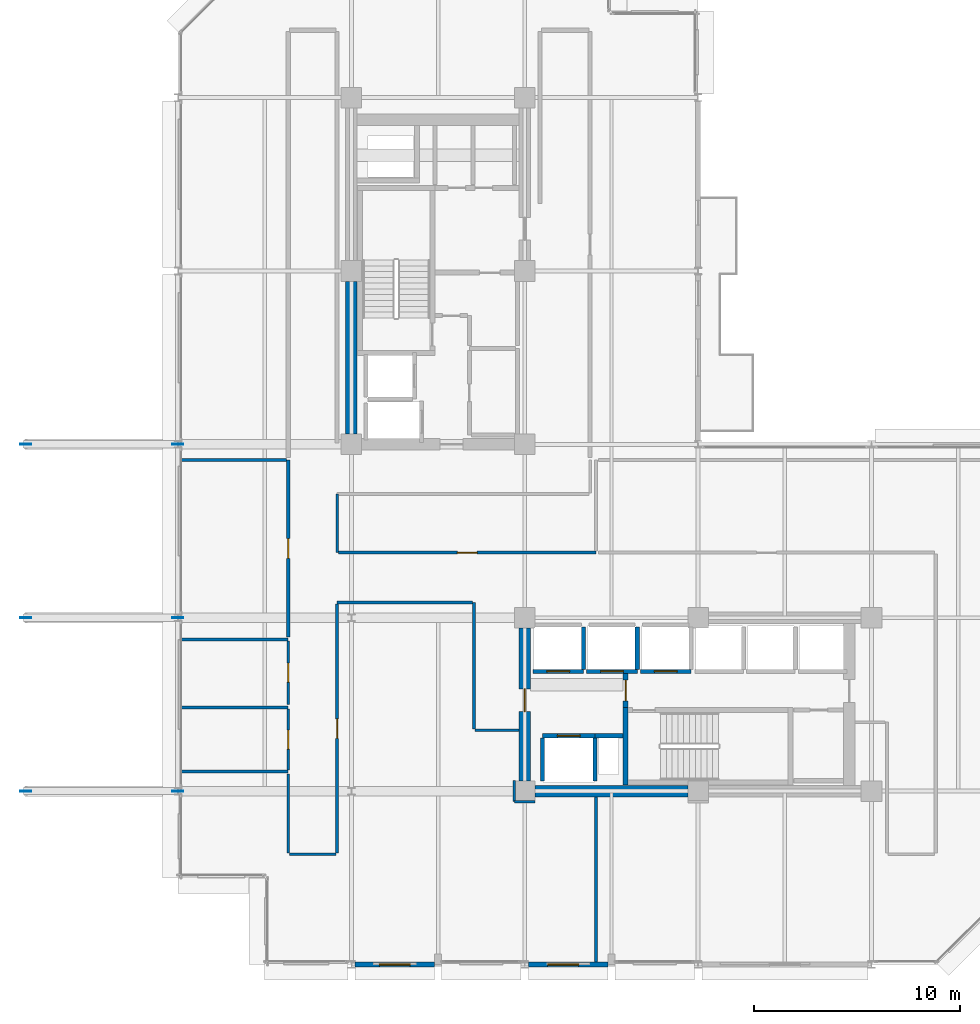
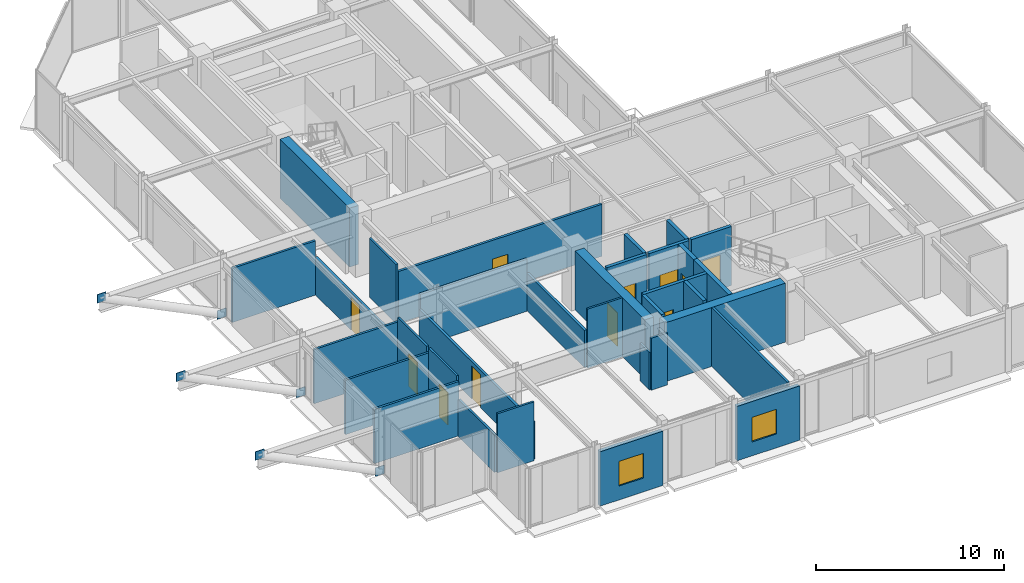
# One storey, part 25 of 30: 34 walls, 11 doors, 6 plates, 2 windows, 13 openings.
"""IFC4 building model written with IfcOpenShell, lengths in metres."""

from ifc_helpers import new_model, si_unit, direction, frame, frame_2d, origin, origin_2d, place, context, subcontext, project, spatial, rectangle, extrude, material, layer, layer_set, type_object, element, fill, save


model = new_model("IFC4")

# Units and contexts
model_context = context("Model", 3, precision=1e-05, world=origin(), true_north=direction((0.0, 1.0)))
body_context = subcontext(model_context, "Body", "Model", "MODEL_VIEW")
ifc_project = project(units=[si_unit("LENGTHUNIT", "METRE"), si_unit("AREAUNIT", "SQUARE_METRE"), si_unit("VOLUMEUNIT", "CUBIC_METRE"), si_unit("PLANEANGLEUNIT", "RADIAN"), si_unit("MASSUNIT", "GRAM", prefix="KILO")], contexts=[model_context])

# Site, building, storey
site_placement = place(None, origin())
site = spatial("IfcSite", under=ifc_project, at=site_placement, CompositionType="ELEMENT")
building_placement = place(site_placement, origin())
building = spatial("IfcBuilding", under=site, at=building_placement, Name="Nerrivon Quay Data Exchange", CompositionType="ELEMENT")
storey_placement = place(building_placement, frame((0.0, 0.0, 167.300048828125)))
storey = spatial("IfcBuildingStorey", under=building, at=storey_placement, Name="L39", CompositionType="ELEMENT", Elevation=167.300048828125)

# Plates
ifc_material_1 = material(Name="Steel Grade 350", Category="steel")
ifc_layer_1 = layer(ifc_material_1, 0.0400390625)
ifc_layer_set_1 = layer_set([ifc_layer_1], Name="Steel Grade 350")
plate_type = type_object("IfcPlateType", Name="PLT-TN02", PredefinedType="USERDEFINED", material=ifc_layer_set_1)
for number, where, z_axis, x_axis, name in (
    (1, (-0.010009765625, 8.39990234375, -0.125), (0.0, 0.0, 1.0), (1.0, 0.0, 0.0), "L39 node plate 57"),
    (2, (-7.3798828125, 8.39990234375, 3.5), (0.0, 0.0, 1.0), (1.0, 0.0, 0.0), "L39 node plate 58"),
    (3, (-0.010009765625, 16.800048828125, -0.125), (0.0, 0.0, 1.0), (1.0, 0.0, 0.0), "L39 node plate 59"),
    (4, (-7.3798828125, 16.800048828125, 3.5), (0.0, 0.0, 1.0), (1.0, 0.0, 0.0), "L39 node plate 60"),
    (5, (-0.010009765625, 25.199951171875, -0.125), (0.0, 0.0, 1.0), (1.0, 0.0, 0.0), "L39 node plate 61"),
    (6, (-7.3798828125, 25.199951171875, 3.5), (0.0, 0.0, 1.0), (1.0, 0.0, 0.0), "L39 node plate 62"),
):
    element("IfcPlate", number, at=place(storey_placement, frame(where, z_axis=z_axis, x_axis=x_axis)), inside=storey, type_object=plate_type, Name=name, ObjectType="GUSSET PLATE", PredefinedType="USERDEFINED", context=body_context, shape_type="SweptSolid", body=[
        extrude(rectangle(XDim=0.550048828125, YDim=0.035888671875, at=origin_2d()), origin(), (0.0, 0.0, 1.0), 0.550048828125),
    ])

# Wall, opening, window
ifc_material_2 = material(Name="Architectural terracotta precast concrete N50 (50 MPa)", Category="masonry")
ifc_layer_2 = layer(ifc_material_2, 0.239990234375)
ifc_layer_set_2 = layer_set([ifc_layer_2], Name="Architectural terracotta precast concrete N50 (50 MPa)")
wall_type_1 = type_object("IfcWallType", Name="EW-PREC-240", PredefinedType="STANDARD", material=ifc_layer_set_2)
wall_1_placement = place(storey_placement, frame((20.824951171875, 0.0, 0.0), z_axis=(0.0, 0.0, 1.0), x_axis=(-1.0, 0.0, 0.0)))
wall_1 = element("IfcWall", 7, at=wall_1_placement, inside=storey, type_object=wall_type_1, Name="L39 Podium Precast Spandrel Wall 5", PredefinedType="STANDARD", context=body_context, shape_type="SweptSolid", body=[
    extrude(rectangle(XDim=3.849853515625, YDim=0.239990234375, at=frame_2d((1.9248046875, 0.0))), origin(), (0.0, 0.0, 1.0), 3.52490234375),
])
opening_1_placement = place(wall_1_placement, frame((1.415283203125, 0.0, 0.89990234375)))
opening_1 = element("IfcOpeningElement", 8, at=opening_1_placement, cuts=wall_1, Name="Opening WN4", PredefinedType="OPENING", context=body_context, shape_type="SweptSolid", body=[
    extrude(rectangle(XDim=1.5, YDim=1.60009765625, at=frame_2d((0.75, 0.800048828125))), frame((0.0, 0.1298828125, 0.0), z_axis=(0.0, -1.0, 0.0), x_axis=(1.0, 0.0, 0.0)), (0.0, 0.0, 1.0), 0.260009765625),
])
ifc_material_3 = material(Name="Double-glazed low-E solar control glass", Category="glass")
window_type = type_object("IfcWindowType", Name="WIN-W4-1500x1600", PartitioningType="SINGLE_PANEL", PredefinedType="WINDOW", material=ifc_material_3)
window_1_placement = place(opening_1_placement, origin())
window_1 = element("IfcWindow", 9, at=window_1_placement, inside=storey, type_object=window_type, Name="L39 Solar Facade Window 5", OverallHeight=1.60009765625, OverallWidth=1.5, PartitioningType="SINGLE_PANEL", PredefinedType="WINDOW", context=body_context, shape_type="SweptSolid", body=[
    extrude(rectangle(XDim=1.5, YDim=1.60009765625, at=frame_2d((0.75, 0.800048828125))), frame((0.0, 0.030029296875, 0.0), z_axis=(0.0, -1.0, 0.0), x_axis=(1.0, 0.0, 0.0)), (0.0, 0.0, 1.0), 0.06005859375),
])
fill(opening_1, window_1)

wall_2_placement = place(storey_placement, frame((12.425048828125, 0.0, 0.0), z_axis=(0.0, 0.0, 1.0), x_axis=(-1.0, 0.0, 0.0)))
wall_2 = element("IfcWall", 10, at=wall_2_placement, inside=storey, type_object=wall_type_1, Name="L39 Podium Precast Spandrel Wall 7", PredefinedType="STANDARD", context=body_context, shape_type="SweptSolid", body=[
    extrude(rectangle(XDim=3.85009765625, YDim=0.239990234375, at=frame_2d((1.925048828125, 0.0))), origin(), (0.0, 0.0, 1.0), 3.52490234375),
])
opening_2_placement = place(wall_2_placement, frame((1.175048828125, 0.0, 0.89990234375)))
opening_2 = element("IfcOpeningElement", 11, at=opening_2_placement, cuts=wall_2, Name="Opening WN4", PredefinedType="OPENING", context=body_context, shape_type="SweptSolid", body=[
    extrude(rectangle(XDim=1.5, YDim=1.60009765625, at=frame_2d((0.75, 0.800048828125))), frame((0.0, 0.1298828125, 0.0), z_axis=(0.0, -1.0, 0.0), x_axis=(1.0, 0.0, 0.0)), (0.0, 0.0, 1.0), 0.260009765625),
])
window_2_placement = place(opening_2_placement, origin())
window_2 = element("IfcWindow", 12, at=window_2_placement, inside=storey, type_object=window_type, Name="L39 Solar Facade Window 7", OverallHeight=1.60009765625, OverallWidth=1.5, PartitioningType="SINGLE_PANEL", PredefinedType="WINDOW", context=body_context, shape_type="SweptSolid", body=[
    extrude(rectangle(XDim=1.5, YDim=1.60009765625, at=frame_2d((0.75, 0.800048828125))), frame((0.0, 0.030029296875, 0.0), z_axis=(0.0, -1.0, 0.0), x_axis=(1.0, 0.0, 0.0)), (0.0, 0.0, 1.0), 0.06005859375),
])
fill(opening_2, window_2)

# Walls
ifc_material_4 = material(Name="Concrete S65 (65 MPa)", Category="concrete")
ifc_layer_3 = layer(ifc_material_4, 0.550048828125)
ifc_layer_set_3 = layer_set([ifc_layer_3], Name="Concrete S65 (65 MPa)")
wall_type_2 = type_object("IfcWallType", Name="WALL-CW-700", PredefinedType="SHEAR", material=ifc_layer_set_3)
wall_3_placement = place(storey_placement, frame((8.39990234375, 25.699951171875, 0.0), z_axis=(0.0, 0.0, 1.0), x_axis=(0.0, 1.0, 0.0)))
element("IfcWall", 13, at=wall_3_placement, inside=storey, type_object=wall_type_2, Name="L39 West Split-Core Shear Wall WCW-W1", PredefinedType="SHEAR", context=body_context, shape_type="SweptSolid", body=[
    extrude(rectangle(XDim=7.400146484375, YDim=0.550048828125, at=frame_2d((3.7001953125, 0.0))), origin(), (0.0, 0.0, 1.0), 3.824951171875),
])
wall_4_placement = place(storey_placement, frame((17.300048828125, 8.39990234375, 0.0), z_axis=(0.0, 0.0, 1.0), x_axis=(1.0, 0.0, 0.0)))
element("IfcWall", 14, at=wall_4_placement, inside=storey, type_object=wall_type_2, Name="L39 East Split-Core Shear Wall ECW-S1", PredefinedType="SHEAR", context=body_context, shape_type="SweptSolid", body=[
    extrude(rectangle(XDim=7.39990234375, YDim=0.550048828125, at=frame_2d((3.699951171875, 0.0))), origin(), (0.0, 0.0, 1.0), 3.824951171875),
])

# Wall, opening, door
wall_5_placement = place(storey_placement, frame((16.800048828125, 8.89990234375, 0.0), z_axis=(0.0, 0.0, 1.0), x_axis=(0.0, 1.0, 0.0)))
wall_5 = element("IfcWall", 15, at=wall_5_placement, inside=storey, type_object=wall_type_2, Name="L39 East Split-Core Shear Wall ECW-W1", PredefinedType="SHEAR", context=body_context, shape_type="SweptSolid", body=[
    extrude(rectangle(XDim=7.400146484375, YDim=0.550048828125, at=frame_2d((3.7001953125, 0.0))), origin(), (0.0, 0.0, 1.0), 3.824951171875),
])
opening_3_placement = place(wall_5_placement, frame((3.35009765625, 0.0, 0.0)))
opening_3 = element("IfcOpeningElement", 16, at=opening_3_placement, cuts=wall_5, Name="Opening FD-120", PredefinedType="OPENING", context=body_context, shape_type="SweptSolid", body=[
    extrude(rectangle(XDim=1.10009765625, YDim=2.14990234375, at=frame_2d((0.550048828125, 1.074951171875))), frame((0.0, 0.284912109375, 0.0), z_axis=(0.0, -1.0, 0.0), x_axis=(1.0, 0.0, 0.0)), (0.0, 0.0, 1.0), 0.570068359375),
])
ifc_material_5 = material(Name="Powder-coated galvanized steel sheet", Category="steel")
door_type_1 = type_object("IfcDoorType", Name="DR-FD120-1100", OperationType="NOTDEFINED", PredefinedType="DOOR", material=ifc_material_5)
door_1_placement = place(opening_3_placement, origin())
door_1 = element("IfcDoor", 17, at=door_1_placement, inside=storey, type_object=door_type_1, Name="L39 East Core Lobby Fire Door", OperationType="SINGLE_SWING_LEFT", OverallHeight=2.14990234375, OverallWidth=1.10009765625, PredefinedType="DOOR", context=body_context, shape_type="SweptSolid", body=[
    extrude(rectangle(XDim=1.10009765625, YDim=2.14990234375, at=frame_2d((0.550048828125, 1.074951171875))), frame((0.0, 0.02490234375, 0.0), z_axis=(0.0, -1.0, 0.0), x_axis=(1.0, 0.0, 0.0)), (0.0, 0.0, 1.0), 0.050048828125),
])
fill(opening_3, door_1)

# Wall
ifc_material_6 = material(Name="Gypsum plasterboard on cold-formed framing", Category="gypsum")
ifc_layer_4 = layer(ifc_material_6, 0.199951171875)
ifc_layer_set_4 = layer_set([ifc_layer_4], Name="Gypsum plasterboard on cold-formed framing")
wall_type_3 = type_object("IfcWallType", Name="WALL-FW-200", PredefinedType="PARTITIONING", material=ifc_layer_set_4)
wall_6_placement = place(storey_placement, frame((20.199951171875, 11.080078125, 0.0), z_axis=(0.0, 0.0, 1.0), x_axis=(1.0, 0.0, 0.0)))
element("IfcWall", 18, at=wall_6_placement, inside=storey, type_object=wall_type_3, Name="L39 East Core MEP Riser Shaft Wall N", PredefinedType="PARTITIONING", context=body_context, shape_type="SweptSolid", body=[
    extrude(rectangle(XDim=1.35009765625, YDim=0.199951171875, at=frame_2d((0.675048828125, 0.0))), origin(), (0.0, 0.0, 1.0), 3.824951171875),
])

# Wall, opening, door
wall_7_placement = place(storey_placement, frame((17.64990234375, 11.080078125, 0.0), z_axis=(0.0, 0.0, 1.0), x_axis=(1.0, 0.0, 0.0)))
wall_7 = element("IfcWall", 19, at=wall_7_placement, inside=storey, type_object=wall_type_3, Name="L39 Lift Front Wall FFL-2", PredefinedType="PARTITIONING", context=body_context, shape_type="SweptSolid", body=[
    extrude(rectangle(XDim=2.550048828125, YDim=0.199951171875, at=frame_2d((1.27490234375, 0.0))), origin(), (0.0, 0.0, 1.0), 3.824951171875),
])
opening_4_placement = place(wall_7_placement, frame((0.72509765625, 0.0, 0.0)))
opening_4 = element("IfcOpeningElement", 20, at=opening_4_placement, cuts=wall_7, Name="Opening LD-120", PredefinedType="OPENING", context=body_context, shape_type="SweptSolid", body=[
    extrude(rectangle(XDim=1.10009765625, YDim=2.199951171875, at=frame_2d((0.550048828125, 1.10009765625))), frame((0.0, 0.10986328125, 0.0), z_axis=(0.0, -1.0, 0.0), x_axis=(1.0, 0.0, 0.0)), (0.0, 0.0, 1.0), 0.219970703125),
])
door_type_2 = type_object("IfcDoorType", Name="DR-LIFT-LD120", OperationType="DOUBLE_DOOR_SLIDING", PredefinedType="DOOR", material=ifc_material_5)
door_2_placement = place(opening_4_placement, origin())
door_2 = element("IfcDoor", 21, at=door_2_placement, inside=storey, type_object=door_type_2, Name="L39 Lift Landing Sliding Door FFL-2", OperationType="DOUBLE_DOOR_SLIDING", OverallHeight=2.199951171875, OverallWidth=1.10009765625, PredefinedType="DOOR", context=body_context, shape_type="SweptSolid", body=[
    extrude(rectangle(XDim=1.10009765625, YDim=2.199951171875, at=frame_2d((0.550048828125, 1.10009765625))), frame((0.0, 0.02490234375, 0.0), z_axis=(0.0, -1.0, 0.0), x_axis=(1.0, 0.0, 0.0)), (0.0, 0.0, 1.0), 0.050048828125),
])
fill(opening_4, door_2)

# Walls
for number, where, z_axis, x_axis, name in (
    (22, (20.199951171875, 8.8798828125, 0.0), (0.0, 0.0, 1.0), (0.0, 1.0, 0.0), "L39 Lift Shaft Wall FFL-2 EAST"),
    (23, (17.64990234375, 8.8798828125, 0.0), (0.0, 0.0, 1.0), (0.0, 1.0, 0.0), "L39 Lift Shaft Wall FFL-2 WEST"),
):
    element("IfcWall", number, at=place(storey_placement, frame(where, z_axis=z_axis, x_axis=x_axis)), inside=storey, type_object=wall_type_3, Name=name, PredefinedType="PARTITIONING", context=body_context, shape_type="SweptSolid", body=[
        extrude(rectangle(XDim=2.10009765625, YDim=0.199951171875, at=frame_2d((1.050048828125, 0.0))), origin(), (0.0, 0.0, 1.0), 3.824951171875),
    ])

# Wall, opening, door
wall_8_placement = place(storey_placement, frame((17.199951171875, 14.199951171875, 0.0), z_axis=(0.0, 0.0, 1.0), x_axis=(1.0, 0.0, 0.0)))
wall_8 = element("IfcWall", 24, at=wall_8_placement, inside=storey, type_object=wall_type_3, Name="L39 Lift Front Wall PL4", PredefinedType="PARTITIONING", context=body_context, shape_type="SweptSolid", body=[
    extrude(rectangle(XDim=2.449951171875, YDim=0.199951171875, at=frame_2d((1.22509765625, 0.0))), origin(), (0.0, 0.0, 1.0), 3.824951171875),
])
opening_5_placement = place(wall_8_placement, frame((0.675048828125, 0.0, 0.0)))
opening_5 = element("IfcOpeningElement", 25, at=opening_5_placement, cuts=wall_8, Name="Opening LD-120", PredefinedType="OPENING", context=body_context, shape_type="SweptSolid", body=[
    extrude(rectangle(XDim=1.10009765625, YDim=2.199951171875, at=frame_2d((0.550048828125, 1.10009765625))), frame((0.0, 0.10986328125, 0.0), z_axis=(0.0, -1.0, 0.0), x_axis=(1.0, 0.0, 0.0)), (0.0, 0.0, 1.0), 0.219970703125),
])
door_3_placement = place(opening_5_placement, origin())
door_3 = element("IfcDoor", 26, at=door_3_placement, inside=storey, type_object=door_type_2, Name="L39 Lift Landing Sliding Door PL4", OperationType="DOUBLE_DOOR_SLIDING", OverallHeight=2.199951171875, OverallWidth=1.10009765625, PredefinedType="DOOR", context=body_context, shape_type="SweptSolid", body=[
    extrude(rectangle(XDim=1.10009765625, YDim=2.199951171875, at=frame_2d((0.550048828125, 1.10009765625))), frame((0.0, 0.02490234375, 0.0), z_axis=(0.0, -1.0, 0.0), x_axis=(1.0, 0.0, 0.0)), (0.0, 0.0, 1.0), 0.050048828125),
])
fill(opening_5, door_3)

# Wall
wall_9_placement = place(storey_placement, frame((19.64990234375, 14.300048828125, 0.0), z_axis=(0.0, 0.0, 1.0), x_axis=(0.0, 1.0, 0.0)))
element("IfcWall", 27, at=wall_9_placement, inside=storey, type_object=wall_type_3, Name="L39 Lift Shaft Wall PL4 EAST", PredefinedType="PARTITIONING", context=body_context, shape_type="SweptSolid", body=[
    extrude(rectangle(XDim=2.050048828125, YDim=0.199951171875, at=frame_2d((1.02490234375, 0.0))), origin(), (0.0, 0.0, 1.0), 3.824951171875),
])

# Wall, opening, door
wall_10_placement = place(storey_placement, frame((19.800048828125, 14.199951171875, 0.0), z_axis=(0.0, 0.0, 1.0), x_axis=(1.0, 0.0, 0.0)))
wall_10 = element("IfcWall", 28, at=wall_10_placement, inside=storey, type_object=wall_type_3, Name="L39 Lift Front Wall PL5", PredefinedType="PARTITIONING", context=body_context, shape_type="SweptSolid", body=[
    extrude(rectangle(XDim=2.449951171875, YDim=0.199951171875, at=frame_2d((1.22509765625, 0.0))), origin(), (0.0, 0.0, 1.0), 3.824951171875),
])
opening_6_placement = place(wall_10_placement, frame((0.675048828125, 0.0, 0.0)))
opening_6 = element("IfcOpeningElement", 29, at=opening_6_placement, cuts=wall_10, Name="Opening LD-120", PredefinedType="OPENING", context=body_context, shape_type="SweptSolid", body=[
    extrude(rectangle(XDim=1.10009765625, YDim=2.199951171875, at=frame_2d((0.550048828125, 1.10009765625))), frame((0.0, 0.10986328125, 0.0), z_axis=(0.0, -1.0, 0.0), x_axis=(1.0, 0.0, 0.0)), (0.0, 0.0, 1.0), 0.219970703125),
])
door_4_placement = place(opening_6_placement, origin())
door_4 = element("IfcDoor", 30, at=door_4_placement, inside=storey, type_object=door_type_2, Name="L39 Lift Landing Sliding Door PL5", OperationType="DOUBLE_DOOR_SLIDING", OverallHeight=2.199951171875, OverallWidth=1.10009765625, PredefinedType="DOOR", context=body_context, shape_type="SweptSolid", body=[
    extrude(rectangle(XDim=1.10009765625, YDim=2.199951171875, at=frame_2d((0.550048828125, 1.10009765625))), frame((0.0, 0.02490234375, 0.0), z_axis=(0.0, -1.0, 0.0), x_axis=(1.0, 0.0, 0.0)), (0.0, 0.0, 1.0), 0.050048828125),
])
fill(opening_6, door_4)

# Wall
wall_11_placement = place(storey_placement, frame((22.25, 14.300048828125, 0.0), z_axis=(0.0, 0.0, 1.0), x_axis=(0.0, 1.0, 0.0)))
element("IfcWall", 31, at=wall_11_placement, inside=storey, type_object=wall_type_3, Name="L39 Lift Shaft Wall PL5 EAST", PredefinedType="PARTITIONING", context=body_context, shape_type="SweptSolid", body=[
    extrude(rectangle(XDim=2.050048828125, YDim=0.199951171875, at=frame_2d((1.02490234375, 0.0))), origin(), (0.0, 0.0, 1.0), 3.824951171875),
])

# Wall, opening, door
wall_12_placement = place(storey_placement, frame((22.39990234375, 14.199951171875, 0.0), z_axis=(0.0, 0.0, 1.0), x_axis=(1.0, 0.0, 0.0)))
wall_12 = element("IfcWall", 32, at=wall_12_placement, inside=storey, type_object=wall_type_3, Name="L39 Lift Front Wall PL6", PredefinedType="PARTITIONING", context=body_context, shape_type="SweptSolid", body=[
    extrude(rectangle(XDim=2.4501953125, YDim=0.199951171875, at=frame_2d((1.22509765625, 0.0))), origin(), (0.0, 0.0, 1.0), 3.824951171875),
])
opening_7_placement = place(wall_12_placement, frame((0.675048828125, 0.0, 0.0)))
opening_7 = element("IfcOpeningElement", 33, at=opening_7_placement, cuts=wall_12, Name="Opening LD-120", PredefinedType="OPENING", context=body_context, shape_type="SweptSolid", body=[
    extrude(rectangle(XDim=1.10009765625, YDim=2.199951171875, at=frame_2d((0.550048828125, 1.10009765625))), frame((0.0, 0.10986328125, 0.0), z_axis=(0.0, -1.0, 0.0), x_axis=(1.0, 0.0, 0.0)), (0.0, 0.0, 1.0), 0.219970703125),
])
door_5_placement = place(opening_7_placement, origin())
door_5 = element("IfcDoor", 34, at=door_5_placement, inside=storey, type_object=door_type_2, Name="L39 Lift Landing Sliding Door PL6", OperationType="DOUBLE_DOOR_SLIDING", OverallHeight=2.199951171875, OverallWidth=1.10009765625, PredefinedType="DOOR", context=body_context, shape_type="SweptSolid", body=[
    extrude(rectangle(XDim=1.10009765625, YDim=2.199951171875, at=frame_2d((0.550048828125, 1.10009765625))), frame((0.0, 0.02490234375, 0.0), z_axis=(0.0, -1.0, 0.0), x_axis=(1.0, 0.0, 0.0)), (0.0, 0.0, 1.0), 0.050048828125),
])
fill(opening_7, door_5)

ifc_layer_5 = layer(ifc_material_6, 0.1201171875)
ifc_layer_set_5 = layer_set([ifc_layer_5], Name="Gypsum plasterboard on cold-formed framing")
wall_type_4 = type_object("IfcWallType", Name="WALL-PT-120", PredefinedType="PARTITIONING", material=ifc_layer_set_5)
wall_13_placement = place(storey_placement, frame((5.340087890625, 9.42138671875, 0.0), z_axis=(0.0, 0.0, 1.0), x_axis=(0.0, 1.0, 0.0)))
wall_13 = element("IfcWall", 35, at=wall_13_placement, inside=storey, type_object=wall_type_4, Name="L39 Partition Accessible Toilet", PredefinedType="PARTITIONING", context=body_context, shape_type="SweptSolid", body=[
    extrude(rectangle(XDim=2.95703125, YDim=0.1201171875, at=frame_2d((1.478515625, 0.0))), origin(), (0.0, 0.0, 1.0), 3.824951171875),
])
opening_8_placement = place(wall_13_placement, frame((1.0185546875, 0.0, 0.0)))
opening_8 = element("IfcOpeningElement", 36, at=opening_8_placement, cuts=wall_13, Name="Opening D-WC", PredefinedType="OPENING", context=body_context, shape_type="SweptSolid", body=[
    extrude(rectangle(XDim=0.919921875, YDim=2.10009765625, at=frame_2d((0.4599609375, 1.050048828125))), frame((0.0, 0.070068359375, 0.0), z_axis=(0.0, -1.0, 0.0), x_axis=(1.0, 0.0, 0.0)), (0.0, 0.0, 1.0), 0.14013671875),
])
ifc_material_7 = material(Name="Engineered hardwood timber", Category="wood")
door_type_3 = type_object("IfcDoorType", Name="DR-WC-920", OperationType="NOTDEFINED", PredefinedType="DOOR", material=ifc_material_7)
door_6_placement = place(opening_8_placement, origin())
door_6 = element("IfcDoor", 37, at=door_6_placement, inside=storey, type_object=door_type_3, Name="L39 Door Accessible Toilet", OperationType="SINGLE_SWING_LEFT", OverallHeight=2.10009765625, OverallWidth=0.919921875, PredefinedType="DOOR", context=body_context, shape_type="SweptSolid", body=[
    extrude(rectangle(XDim=0.919921875, YDim=2.10009765625, at=frame_2d((0.4599609375, 1.050048828125))), frame((0.0, 0.02490234375, 0.0), z_axis=(0.0, -1.0, 0.0), x_axis=(1.0, 0.0, 0.0)), (0.0, 0.0, 1.0), 0.050048828125),
])
fill(opening_8, door_6)

wall_14_placement = place(storey_placement, frame((5.340087890625, 12.60009765625, 0.0), z_axis=(0.0, 0.0, 1.0), x_axis=(0.0, 1.0, 0.0)))
wall_14 = element("IfcWall", 38, at=wall_14_placement, inside=storey, type_object=wall_type_4, Name="L39 Partition Public Washrooms", PredefinedType="PARTITIONING", context=body_context, shape_type="SweptSolid", body=[
    extrude(rectangle(XDim=3.078369140625, YDim=0.1201171875, at=frame_2d((1.5390625, 0.0))), origin(), (0.0, 0.0, 1.0), 3.824951171875),
])
opening_9_placement = place(wall_14_placement, frame((1.079345703125, 0.0, 0.0)))
opening_9 = element("IfcOpeningElement", 39, at=opening_9_placement, cuts=wall_14, Name="Opening D-WC", PredefinedType="OPENING", context=body_context, shape_type="SweptSolid", body=[
    extrude(rectangle(XDim=0.919921875, YDim=2.10009765625, at=frame_2d((0.4599609375, 1.050048828125))), frame((0.0, 0.070068359375, 0.0), z_axis=(0.0, -1.0, 0.0), x_axis=(1.0, 0.0, 0.0)), (0.0, 0.0, 1.0), 0.14013671875),
])
door_7_placement = place(opening_9_placement, origin())
door_7 = element("IfcDoor", 40, at=door_7_placement, inside=storey, type_object=door_type_3, Name="L39 Door Public Washrooms", OperationType="SINGLE_SWING_RIGHT", OverallHeight=2.10009765625, OverallWidth=0.919921875, PredefinedType="DOOR", context=body_context, shape_type="SweptSolid", body=[
    extrude(rectangle(XDim=0.919921875, YDim=2.10009765625, at=frame_2d((0.4599609375, 1.050048828125))), frame((0.0, 0.02490234375, 0.0), z_axis=(0.0, -1.0, 0.0), x_axis=(1.0, 0.0, 0.0)), (0.0, 0.0, 1.0), 0.050048828125),
])
fill(opening_9, door_7)

# Walls
wall_15_placement = place(storey_placement, frame((7.7099609375, 22.7900390625, 0.0), z_axis=(0.0, 0.0, 1.0), x_axis=(0.0, -1.0, 0.0)))
element("IfcWall", 41, at=wall_15_placement, inside=storey, type_object=wall_type_4, Name="L39 Partition Staff Pantry", PredefinedType="PARTITIONING", context=body_context, shape_type="SweptSolid", body=[
    extrude(rectangle(XDim=2.830078125, YDim=0.1201171875, at=frame_2d((1.4150390625, 0.0))), origin(), (0.0, 0.0, 1.0), 3.824951171875),
])
wall_16_placement = place(storey_placement, frame((17.303955078125, 7.88037109375, 0.0), z_axis=(0.0, 0.0, 1.0), x_axis=(-0.999999881717, -0.000486381265, 0.0)))
element("IfcWall", 42, at=wall_16_placement, inside=storey, type_object=wall_type_4, Name="L39 Partition Peering Huddle Meeting Room", PredefinedType="PARTITIONING", context=body_context, shape_type="SweptSolid", body=[
    extrude(rectangle(XDim=1.00390625, YDim=0.1201171875, at=frame_2d((0.501953125, 0.0))), origin(), (0.0, 0.0, 1.0), 3.370849609375),
])
wall_17_placement = place(storey_placement, frame((16.280029296875, 7.89990234375, 0.0), z_axis=(0.0, 0.0, 1.0), x_axis=(0.000486381265, 0.999999881717, 0.0)))
element("IfcWall", 43, at=wall_17_placement, inside=storey, type_object=wall_type_4, Name="L39 Partition Peering Huddle Meeting Room", PredefinedType="PARTITIONING", context=body_context, shape_type="SweptSolid", body=[
    extrude(rectangle(XDim=1.00390625, YDim=0.1201171875, at=frame_2d((0.501953125, 0.0))), origin(), (0.0, 0.0, 1.0), 2.425048828125),
])
wall_18_placement = place(storey_placement, frame((16.52099609375, 11.340087890625, 0.0), z_axis=(0.0, 0.0, 1.0), x_axis=(-1.0, 0.0, 0.0)))
element("IfcWall", 44, at=wall_18_placement, inside=storey, type_object=wall_type_4, Name="L39 Partition Peering Huddle Meeting Room", PredefinedType="PARTITIONING", context=body_context, shape_type="SweptSolid", body=[
    extrude(rectangle(XDim=2.12109375, YDim=0.1201171875, at=frame_2d((1.060546875, 0.0))), origin(), (0.0, 0.0, 1.0), 3.824951171875),
])
wall_19_placement = place(storey_placement, frame((7.64990234375, 5.340087890625, 0.0), z_axis=(0.0, 0.0, 1.0), x_axis=(-1.0, 0.0, 0.0)))
element("IfcWall", 45, at=wall_19_placement, inside=storey, type_object=wall_type_4, Name="L39 Partition Peering Huddle Meeting Room", PredefinedType="PARTITIONING", context=body_context, shape_type="SweptSolid", body=[
    extrude(rectangle(XDim=2.25, YDim=0.1201171875, at=frame_2d((1.125, 0.0))), origin(), (0.0, 0.0, 1.0), 3.824951171875),
])
ifc_layer_6 = layer(ifc_material_6, 0.135009765625)
ifc_layer_set_6 = layer_set([ifc_layer_6], Name="Gypsum plasterboard on cold-formed framing")
wall_type_5 = type_object("IfcWallType", Name="WALL-PT-135", PredefinedType="PARTITIONING", material=ifc_layer_set_6)
for number, where, z_axis, x_axis, name in (
    (46, (5.340087890625, 12.449951171875, 0.0), (0.0, 0.0, 1.0), (-1.0, 0.0, 0.0), "L39 Partition Accessible Toilet"),
    (47, (0.1689453125, 9.35009765625, 0.0), (0.0, 0.0, 1.0), (1.0, 0.0, 0.0), "L39 Partition Accessible Toilet"),
    (48, (5.340087890625, 15.75, 0.0), (0.0, 0.0, 1.0), (-1.0, 0.0, 0.0), "L39 Partition Public Washrooms"),
):
    element("IfcWall", number, at=place(storey_placement, frame(where, z_axis=z_axis, x_axis=x_axis)), inside=storey, type_object=wall_type_5, Name=name, PredefinedType="PARTITIONING", context=body_context, shape_type="SweptSolid", body=[
        extrude(rectangle(XDim=5.171142578125, YDim=0.135009765625, at=frame_2d((2.58544921875, 0.0))), origin(), (0.0, 0.0, 1.0), 3.51806640625),
    ])
wall_20_placement = place(storey_placement, frame((5.260986328125, 24.441650390625, 0.0), z_axis=(0.0, 0.0, 1.0), x_axis=(-1.0, 0.0, 0.0)))
element("IfcWall", 49, at=wall_20_placement, inside=storey, type_object=wall_type_5, Name="L39 Partition Client Conference Room 1", PredefinedType="PARTITIONING", context=body_context, shape_type="SweptSolid", body=[
    extrude(rectangle(XDim=5.092041015625, YDim=0.135009765625, at=frame_2d((2.5458984375, 0.0))), origin(), (0.0, 0.0, 1.0), 3.51806640625),
])
wall_21_placement = place(storey_placement, frame((5.340087890625, 5.39990234375, 0.0), z_axis=(0.0, 0.0, 1.0), x_axis=(0.0, 1.0, 0.0)))
element("IfcWall", 50, at=wall_21_placement, inside=storey, type_object=wall_type_5, Name="L39 Partition Peering Huddle Meeting Room", PredefinedType="PARTITIONING", context=body_context, shape_type="SweptSolid", body=[
    extrude(rectangle(XDim=3.830078125, YDim=0.135009765625, at=frame_2d((1.9150390625, 0.0))), origin(), (0.0, 0.0, 1.0), 2.425048828125),
])

# Wall, opening, door
ifc_layer_7 = layer(ifc_material_6, 0.14990234375)
ifc_layer_set_7 = layer_set([ifc_layer_7], Name="Gypsum plasterboard on cold-formed framing")
wall_type_6 = type_object("IfcWallType", Name="WALL-PT-150", PredefinedType="PARTITIONING", material=ifc_layer_set_7)
wall_22_placement = place(storey_placement, frame((7.77392578125, 19.9599609375, 0.0), z_axis=(0.0, 0.0, 1.0), x_axis=(1.0, 0.0, 0.0)))
wall_22 = element("IfcWall", 51, at=wall_22_placement, inside=storey, type_object=wall_type_6, Name="L39 Partition Staff Pantry", PredefinedType="PARTITIONING", context=body_context, shape_type="SweptSolid", body=[
    extrude(rectangle(XDim=12.48046875, YDim=0.14990234375, at=frame_2d((6.240234375, 0.0))), origin(), (0.0, 0.0, 1.0), 3.370849609375),
])
opening_10_placement = place(wall_22_placement, frame((5.76513671875, 0.0, 0.0)))
opening_10 = element("IfcOpeningElement", 52, at=opening_10_placement, cuts=wall_22, Name="Opening D-01", PredefinedType="OPENING", context=body_context, shape_type="SweptSolid", body=[
    extrude(rectangle(XDim=0.949951171875, YDim=2.14990234375, at=frame_2d((0.47509765625, 1.074951171875))), frame((0.0, 0.0849609375, 0.0), z_axis=(0.0, -1.0, 0.0), x_axis=(1.0, 0.0, 0.0)), (0.0, 0.0, 1.0), 0.169921875),
])
door_type_4 = type_object("IfcDoorType", Name="DR-INT-950", OperationType="NOTDEFINED", PredefinedType="DOOR", material=ifc_material_7)
door_8_placement = place(opening_10_placement, origin())
door_8 = element("IfcDoor", 53, at=door_8_placement, inside=storey, type_object=door_type_4, Name="L39 Door Staff Pantry", OperationType="SINGLE_SWING_LEFT", OverallHeight=2.14990234375, OverallWidth=0.949951171875, PredefinedType="DOOR", context=body_context, shape_type="SweptSolid", body=[
    extrude(rectangle(XDim=0.949951171875, YDim=2.14990234375, at=frame_2d((0.47509765625, 1.074951171875))), frame((0.0, 0.02490234375, 0.0), z_axis=(0.0, -1.0, 0.0), x_axis=(1.0, 0.0, 0.0)), (0.0, 0.0, 1.0), 0.050048828125),
])
fill(opening_10, door_8)

wall_23_placement = place(storey_placement, frame((5.340087890625, 15.8701171875, 0.0), z_axis=(0.0, 0.0, 1.0), x_axis=(0.0, 1.0, 0.0)))
wall_23 = element("IfcWall", 54, at=wall_23_placement, inside=storey, type_object=wall_type_6, Name="L39 Partition Client Conference Room 1", PredefinedType="PARTITIONING", context=body_context, shape_type="SweptSolid", body=[
    extrude(rectangle(XDim=8.571533203125, YDim=0.14990234375, at=frame_2d((4.28564453125, 0.0))), origin(), (0.0, 0.0, 1.0), 2.425048828125),
])
opening_11_placement = place(wall_23_placement, frame((3.810791015625, 0.0, 0.0)))
opening_11 = element("IfcOpeningElement", 55, at=opening_11_placement, cuts=wall_23, Name="Opening D-01", PredefinedType="OPENING", context=body_context, shape_type="SweptSolid", body=[
    extrude(rectangle(XDim=0.949951171875, YDim=2.14990234375, at=frame_2d((0.47509765625, 1.074951171875))), frame((0.0, 0.0849609375, 0.0), z_axis=(0.0, -1.0, 0.0), x_axis=(1.0, 0.0, 0.0)), (0.0, 0.0, 1.0), 0.169921875),
])
door_9_placement = place(opening_11_placement, origin())
door_9 = element("IfcDoor", 56, at=door_9_placement, inside=storey, type_object=door_type_4, Name="L39 Door Client Conference Room 1", OperationType="SINGLE_SWING_RIGHT", OverallHeight=2.14990234375, OverallWidth=0.949951171875, PredefinedType="DOOR", context=body_context, shape_type="SweptSolid", body=[
    extrude(rectangle(XDim=0.949951171875, YDim=2.14990234375, at=frame_2d((0.47509765625, 1.074951171875))), frame((0.0, 0.02490234375, 0.0), z_axis=(0.0, -1.0, 0.0), x_axis=(1.0, 0.0, 0.0)), (0.0, 0.0, 1.0), 0.050048828125),
])
fill(opening_11, door_9)

# Walls
wall_24_placement = place(storey_placement, frame((20.25439453125, 0.1240234375, 0.0), z_axis=(0.0, 0.0, 1.0), x_axis=(0.0, 1.0, 0.0)))
element("IfcWall", 57, at=wall_24_placement, inside=storey, type_object=wall_type_6, Name="L39 Partition Peering Huddle Meeting Room", PredefinedType="PARTITIONING", context=body_context, shape_type="SweptSolid", body=[
    extrude(rectangle(XDim=7.9970703125, YDim=0.14990234375, at=frame_2d((3.99853515625, 0.0))), origin(), (0.0, 0.0, 1.0), 3.824951171875),
])
wall_25_placement = place(storey_placement, frame((14.340087890625, 11.39990234375, 0.0), z_axis=(0.0, 0.0, 1.0), x_axis=(0.0, 1.0, 0.0)))
element("IfcWall", 58, at=wall_25_placement, inside=storey, type_object=wall_type_6, Name="L39 Partition Peering Huddle Meeting Room", PredefinedType="PARTITIONING", context=body_context, shape_type="SweptSolid", body=[
    extrude(rectangle(XDim=6.14013671875, YDim=0.14990234375, at=frame_2d((3.070068359375, 0.0))), origin(), (0.0, 0.0, 1.0), 2.425048828125),
])
wall_26_placement = place(storey_placement, frame((14.260986328125, 17.5400390625, 0.0), z_axis=(0.0, 0.0, 1.0), x_axis=(-1.0, 0.0, 0.0)))
element("IfcWall", 59, at=wall_26_placement, inside=storey, type_object=wall_type_6, Name="L39 Partition Peering Huddle Meeting Room", PredefinedType="PARTITIONING", context=body_context, shape_type="SweptSolid", body=[
    extrude(rectangle(XDim=6.551025390625, YDim=0.14990234375, at=frame_2d((3.275390625, 0.0))), origin(), (0.0, 0.0, 1.0), 3.370849609375),
])

# Wall, opening, door
wall_27_placement = place(storey_placement, frame((7.7099609375, 17.4609375, 0.0), z_axis=(0.0, 0.0, 1.0), x_axis=(0.0, -1.0, 0.0)))
wall_27 = element("IfcWall", 60, at=wall_27_placement, inside=storey, type_object=wall_type_6, Name="L39 Partition Peering Huddle Meeting Room", PredefinedType="PARTITIONING", context=body_context, shape_type="SweptSolid", body=[
    extrude(rectangle(XDim=12.06103515625, YDim=0.14990234375, at=frame_2d((6.030517578125, 0.0))), origin(), (0.0, 0.0, 1.0), 2.425048828125),
])
opening_12_placement = place(wall_27_placement, frame((5.555419921875, 0.0, 0.0)))
opening_12 = element("IfcOpeningElement", 61, at=opening_12_placement, cuts=wall_27, Name="Opening D-01", PredefinedType="OPENING", context=body_context, shape_type="SweptSolid", body=[
    extrude(rectangle(XDim=0.949951171875, YDim=2.14990234375, at=frame_2d((0.47509765625, 1.074951171875))), frame((0.0, 0.0849609375, 0.0), z_axis=(0.0, -1.0, 0.0), x_axis=(1.0, 0.0, 0.0)), (0.0, 0.0, 1.0), 0.169921875),
])
door_10_placement = place(opening_12_placement, origin())
door_10 = element("IfcDoor", 62, at=door_10_placement, inside=storey, type_object=door_type_4, Name="L39 Door Peering Huddle Meeting Room", OperationType="SINGLE_SWING_LEFT", OverallHeight=2.14990234375, OverallWidth=0.949951171875, PredefinedType="DOOR", context=body_context, shape_type="SweptSolid", body=[
    extrude(rectangle(XDim=0.949951171875, YDim=2.14990234375, at=frame_2d((0.47509765625, 1.074951171875))), frame((0.0, 0.02490234375, 0.0), z_axis=(0.0, -1.0, 0.0), x_axis=(1.0, 0.0, 0.0)), (0.0, 0.0, 1.0), 0.050048828125),
])
fill(opening_12, door_10)

# Wall
ifc_material_8 = material(Name="Concrete N50 (50 MPa)", Category="concrete")
ifc_layer_8 = layer(ifc_material_8, 0.25)
ifc_layer_set_8 = layer_set([ifc_layer_8], Name="Concrete N50 (50 MPa)")
wall_type_7 = type_object("IfcWallType", Name="WALL-SW-250", PredefinedType="SHEAR", material=ifc_layer_set_8)
wall_28_placement = place(storey_placement, frame((21.675048828125, 8.699951171875, 0.0), z_axis=(0.0, 0.0, 1.0), x_axis=(0.0, 1.0, 0.0)))
element("IfcWall", 63, at=wall_28_placement, inside=storey, type_object=wall_type_7, Name="L39 ST02 Structural Stair Core Wall NEAR", PredefinedType="SHEAR", context=body_context, shape_type="SweptSolid", body=[
    extrude(rectangle(XDim=3.75, YDim=0.25, at=frame_2d((1.875, 0.0))), origin(), (0.0, 0.0, 1.0), 3.824951171875),
])

# Wall, opening, door
wall_29_placement = place(storey_placement, frame((21.679931640625, 12.449951171875, 0.0), z_axis=(0.0, 0.0, 1.0), x_axis=(0.0, 1.0, 0.0)))
wall_29 = element("IfcWall", 64, at=wall_29_placement, inside=storey, type_object=wall_type_7, Name="L39 East Firefighting Lobby Wall", PredefinedType="SHEAR", context=body_context, shape_type="SweptSolid", body=[
    extrude(rectangle(XDim=1.650146484375, YDim=0.25, at=frame_2d((0.8251953125, 0.0))), origin(), (0.0, 0.0, 1.0), 3.824951171875),
])
opening_13_placement = place(wall_29_placement, frame((0.324951171875, 0.0, 0.0)))
opening_13 = element("IfcOpeningElement", 65, at=opening_13_placement, cuts=wall_29, Name="Opening FD-60", PredefinedType="OPENING", context=body_context, shape_type="SweptSolid", body=[
    extrude(rectangle(XDim=1.0, YDim=2.14990234375, at=frame_2d((0.5, 1.074951171875))), frame((0.0, 0.135009765625, 0.0), z_axis=(0.0, -1.0, 0.0), x_axis=(1.0, 0.0, 0.0)), (0.0, 0.0, 1.0), 0.27001953125),
])
door_type_5 = type_object("IfcDoorType", Name="DR-FD60-1000", OperationType="NOTDEFINED", PredefinedType="DOOR", material=ifc_material_7)
door_11_placement = place(opening_13_placement, origin())
door_11 = element("IfcDoor", 66, at=door_11_placement, inside=storey, type_object=door_type_5, Name="L39 East Firefighting Lobby Fire Door", OperationType="SINGLE_SWING_LEFT", OverallHeight=2.14990234375, OverallWidth=1.0, PredefinedType="DOOR", context=body_context, shape_type="SweptSolid", body=[
    extrude(rectangle(XDim=1.0, YDim=2.14990234375, at=frame_2d((0.5, 1.074951171875))), frame((0.0, 0.02490234375, 0.0), z_axis=(0.0, -1.0, 0.0), x_axis=(1.0, 0.0, 0.0)), (0.0, 0.0, 1.0), 0.050048828125),
])
fill(opening_13, door_11)

save(model, "model.ifc")
